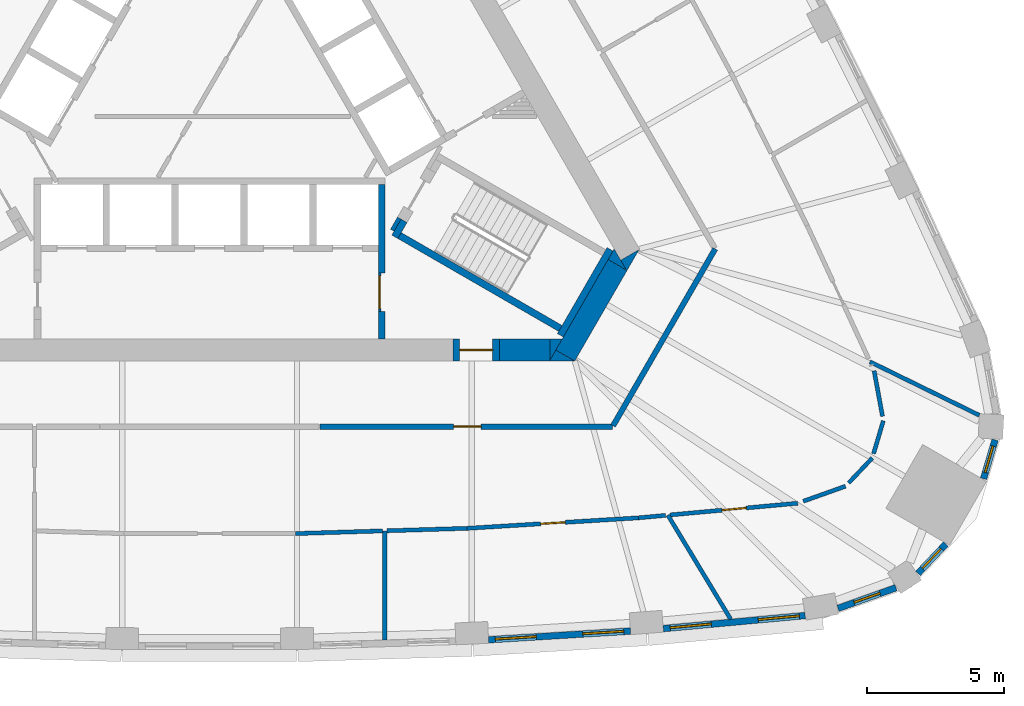
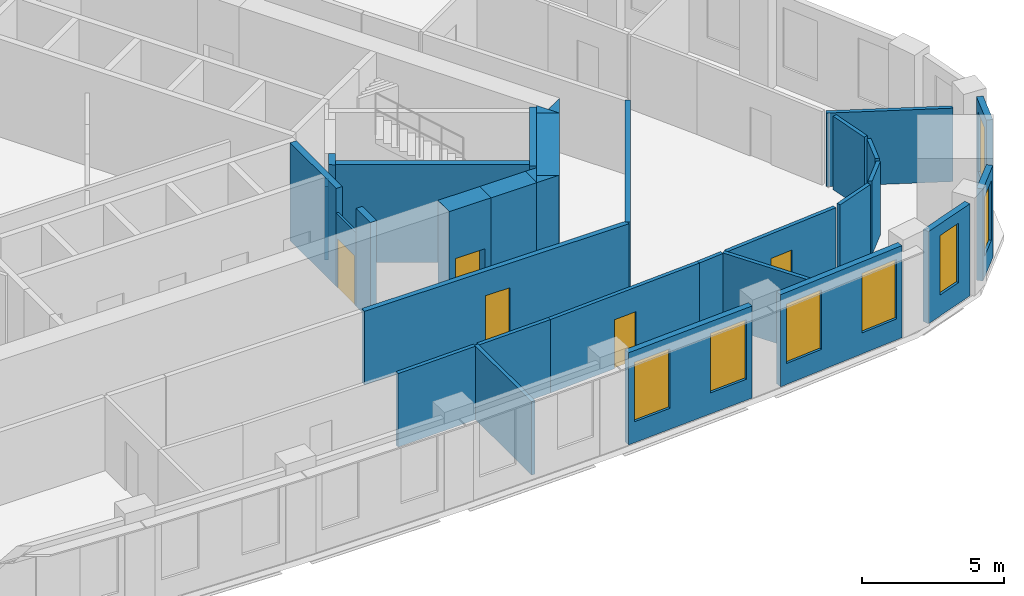
# One storey, part 6 of 11: 33 walls, 7 windows, 5 doors, 12 openings.
"""IFC4 building model written with IfcOpenShell, lengths in metres."""

from ifc_helpers import new_model, si_unit, direction, frame, frame_2d, origin, place, context, subcontext, project, spatial, polyline, rectangle, outline, extrude, material, layer, layer_set, type_object, element, fill, save


model = new_model("IFC4")

# Units and contexts
model_context = context("Model", 3, precision=1e-05, world=origin(), true_north=direction((0.0, 1.0)))
body_context = subcontext(model_context, "Body", "Model", "MODEL_VIEW")
ifc_project = project(units=[si_unit("LENGTHUNIT", "METRE"), si_unit("AREAUNIT", "SQUARE_METRE"), si_unit("VOLUMEUNIT", "CUBIC_METRE"), si_unit("PLANEANGLEUNIT", "RADIAN"), si_unit("MASSUNIT", "GRAM", prefix="KILO")], contexts=[model_context])

# Site, building, storey
site_placement = place(None, origin())
site = spatial("IfcSite", under=ifc_project, at=site_placement, CompositionType="ELEMENT")
building_placement = place(site_placement, origin())
building = spatial("IfcBuilding", under=site, at=building_placement, Name="Mestral Congress Tower", CompositionType="ELEMENT")
storey_placement = place(building_placement, frame((0.0, 0.0, 175.199951171875)))
storey = spatial("IfcBuildingStorey", under=building, at=storey_placement, Name="L41", CompositionType="ELEMENT", Elevation=175.199951171875)

# Wall
ifc_material_1 = material(Name="Fire-rated board partition")
ifc_layer_1 = layer(ifc_material_1, 0.14990234375)
ifc_layer_set_1 = layer_set([ifc_layer_1], Name="Fire-rated board partition")
wall_type_1 = type_object("IfcWallType", Name="Core partition 150", PredefinedType="PARTITIONING", material=ifc_layer_set_1)
wall_1_placement = place(storey_placement, frame((6.94482421875, -5.22216796875, 0.0), z_axis=(0.0, 0.0, 1.0), x_axis=(-0.499818422106, -0.866130212453, 0.0)))
element("IfcWall", 1, at=wall_1_placement, inside=storey, type_object=wall_type_1, Name="L41 core wall", PredefinedType="PARTITIONING", context=body_context, shape_type="SweptSolid", body=[
    extrude(rectangle(XDim=0.513916015625, YDim=0.14990234375, at=frame_2d((0.2568359375, 0.0))), origin(), (0.0, 0.0, 1.0), 3.150146484375),
])

# Wall, opening, door
ifc_layer_2 = layer(ifc_material_1, 0.090087890625)
ifc_layer_set_2 = layer_set([ifc_layer_2], Name="Fire-rated board partition")
wall_type_2 = type_object("IfcWallType", Name="Core partition 150 door-wall 90", PredefinedType="PARTITIONING", material=ifc_layer_set_2)
wall_2_placement = place(storey_placement, frame((6.219970703125, -7.23681640625, 0.0), z_axis=(0.0, 0.0, 1.0), x_axis=(0.0, -1.0, 0.0)))
wall_2 = element("IfcWall", 2, at=wall_2_placement, inside=storey, type_object=wall_type_2, Name="L41 door wall", PredefinedType="PARTITIONING", context=body_context, shape_type="SweptSolid", body=[
    extrude(rectangle(XDim=1.400146484375, YDim=0.090087890625, at=frame_2d((0.7001953125, 0.0))), origin(), (0.0, 0.0, 1.0), 3.150146484375),
])
opening_1_placement = place(wall_2_placement, frame((0.10009765625, 0.0, 0.0)))
opening_1 = element("IfcOpeningElement", 3, at=opening_1_placement, cuts=wall_2, Name="Opening LB0-WL1", PredefinedType="OPENING", context=body_context, shape_type="SweptSolid", body=[
    extrude(rectangle(XDim=1.199951171875, YDim=2.10009765625, at=frame_2d((0.60009765625, 1.050048828125))), frame((0.0, 0.054931640625, 0.0), z_axis=(0.0, -1.0, 0.0), x_axis=(1.0, 0.0, 0.0)), (0.0, 0.0, 1.0), 0.110107421875),
])
ifc_material_2 = material(Name="Fire-rated steel door set", Category="steel")
door_type_1 = type_object("IfcDoorType", Name="Core door LB 1200x2100", OperationType="SINGLE_SWING_LEFT", PredefinedType="DOOR", material=ifc_material_2)
door_1_placement = place(opening_1_placement, origin())
door_1 = element("IfcDoor", 4, at=door_1_placement, inside=storey, type_object=door_type_1, Name="Door LB0-WL1", OperationType="SINGLE_SWING_LEFT", OverallHeight=2.10009765625, OverallWidth=1.199951171875, PredefinedType="DOOR", context=body_context, shape_type="SweptSolid", body=[
    extrude(rectangle(XDim=1.199951171875, YDim=2.10009765625, at=frame_2d((0.60009765625, 1.050048828125))), frame((0.0, 0.02490234375, 0.0), z_axis=(0.0, -1.0, 0.0), x_axis=(1.0, 0.0, 0.0)), (0.0, 0.0, 1.0), 0.050048828125),
])
fill(opening_1, door_1)

# Walls
ifc_material_3 = material(Name="Concrete C60/75", Category="concrete")
ifc_layer_3 = layer(ifc_material_3, 0.800048828125)
ifc_layer_set_3 = layer_set([ifc_layer_3], Name="Concrete C60/75")
wall_type_3 = type_object("IfcWallType", Name="Core wall RC 800", PredefinedType="SOLIDWALL", material=ifc_layer_set_3)
placement = place(storey_placement, origin())
element("IfcWall", 5, at=placement, inside=storey, type_object=wall_type_3, Name="L41 core wall", PredefinedType="SOLIDWALL", context=body_context, shape_type="SweptSolid", body=[
    extrude(outline(polyline([(15.27099609375, -7.14990234375), (15.046875, -6.761962890625), (15.718994140625, -6.3740234375), (15.27099609375, -7.14990234375)])), origin(), (0.0, 0.0, 1.0), 4.199951171875),
])
wall_4_placement = place(storey_placement, frame((13.018310546875, -10.251708984375, 0.0), z_axis=(0.0, 0.0, 1.0), x_axis=(0.499984020225, 0.866034629516, 0.0)))
element("IfcWall", 6, at=wall_4_placement, inside=storey, type_object=wall_type_3, Name="L41 core wall", PredefinedType="SOLIDWALL", context=body_context, shape_type="SweptSolid", body=[
    extrude(rectangle(XDim=3.824462890625, YDim=0.800048828125, at=frame_2d((1.912109375, 0.0))), origin(), (0.0, 0.0, 1.0), 4.199951171875),
])
element("IfcWall", 7, at=placement, inside=storey, type_object=wall_type_3, Name="L41 core wall", PredefinedType="SOLIDWALL", context=body_context, shape_type="SweptSolid", body=[
    extrude(outline(polyline([(12.44189453125, -10.449951171875), (12.6708984375, -10.053466796875), (13.35791015625, -10.449951171875), (12.44189453125, -10.449951171875)])), origin(), (0.0, 0.0, 1.0), 4.199951171875),
])
element("IfcWall", 8, at=placement, inside=storey, type_object=wall_type_3, Name="L41 core wall", PredefinedType="SOLIDWALL", context=body_context, shape_type="SweptSolid", body=[
    extrude(outline(polyline([(14.80908203125, -6.35009765625), (15.257080078125, -7.1259765625), (14.5849609375, -6.738037109375), (14.80908203125, -6.35009765625)])), origin(), (0.0, 0.0, 1.0), 4.199951171875),
])
wall_7_placement = place(storey_placement, frame((10.6044921875, -10.050048828125, 0.0), z_axis=(0.0, 0.0, 1.0), x_axis=(1.0, 0.0, 0.0)))
element("IfcWall", 9, at=wall_7_placement, inside=storey, type_object=wall_type_3, Name="L41 core wall", PredefinedType="SOLIDWALL", context=body_context, shape_type="SweptSolid", body=[
    extrude(rectangle(XDim=1.849365234375, YDim=0.800048828125, at=frame_2d((0.9248046875, 0.0))), origin(), (0.0, 0.0, 1.0), 4.199951171875),
])
element("IfcWall", 10, at=placement, inside=storey, type_object=wall_type_3, Name="L41 core wall", PredefinedType="SOLIDWALL", context=body_context, shape_type="SweptSolid", body=[
    extrude(outline(polyline([(12.90380859375, -9.64990234375), (12.455810546875, -10.42578125), (12.455810546875, -9.64990234375), (12.90380859375, -9.64990234375)])), origin(), (0.0, 0.0, 1.0), 4.199951171875),
])

# Wall, opening, door
wall_9_placement = place(storey_placement, frame((10.6044921875, -10.050048828125, 0.0), z_axis=(0.0, 0.0, 1.0), x_axis=(-1.0, 0.0, 0.0)))
wall_9 = element("IfcWall", 11, at=wall_9_placement, inside=storey, type_object=wall_type_3, Name="L41 door wall", PredefinedType="SOLIDWALL", context=body_context, shape_type="SweptSolid", body=[
    extrude(rectangle(XDim=1.699951171875, YDim=0.800048828125, at=frame_2d((0.85009765625, 0.0))), origin(), (0.0, 0.0, 1.0), 4.199951171875),
])
opening_2_placement = place(wall_9_placement, frame((0.25, 0.0, 0.0)))
opening_2 = element("IfcOpeningElement", 12, at=opening_2_placement, cuts=wall_9, Name="Opening XD1", PredefinedType="OPENING", context=body_context, shape_type="SweptSolid", body=[
    extrude(rectangle(XDim=1.199951171875, YDim=2.10009765625, at=frame_2d((0.60009765625, 1.050048828125))), frame((0.0, 0.409912109375, 0.0), z_axis=(0.0, -1.0, 0.0), x_axis=(1.0, 0.0, 0.0)), (0.0, 0.0, 1.0), 0.820068359375),
])
door_type_2 = type_object("IfcDoorType", Name="Core door XD 1200x2100", OperationType="SINGLE_SWING_LEFT", PredefinedType="DOOR", material=ifc_material_2)
door_2_placement = place(opening_2_placement, origin())
door_2 = element("IfcDoor", 13, at=door_2_placement, inside=storey, type_object=door_type_2, Name="Door XD1", OperationType="SINGLE_SWING_LEFT", OverallHeight=2.10009765625, OverallWidth=1.199951171875, PredefinedType="DOOR", context=body_context, shape_type="SweptSolid", body=[
    extrude(rectangle(XDim=1.199951171875, YDim=2.10009765625, at=frame_2d((0.60009765625, 1.050048828125))), frame((0.0, 0.02490234375, 0.0), z_axis=(0.0, -1.0, 0.0), x_axis=(1.0, 0.0, 0.0)), (0.0, 0.0, 1.0), 0.050048828125),
])
fill(opening_2, door_2)

# Wall, openings, windows
ifc_material_4 = material(Name="Precast concrete C40/50 with limestone facing", Category="masonry")
ifc_layer_4 = layer(ifc_material_4, 0.239990234375)
ifc_layer_set_4 = layer_set([ifc_layer_4], Name="Precast concrete C40/50 with limestone facing")
wall_type_4 = type_object("IfcWallType", Name="Facade stone wall 240", PredefinedType="SOLIDWALL", material=ifc_layer_set_4)
wall_10_placement = place(storey_placement, frame((10.210693359375, -20.656005859375, 0.0), z_axis=(0.0, 0.0, 1.0), x_axis=(0.998135294646, 0.061040425794, 0.0)))
wall_10 = element("IfcWall", 14, at=wall_10_placement, inside=storey, type_object=wall_type_4, Name="Facade wall F0-05", PredefinedType="SOLIDWALL", context=body_context, shape_type="SweptSolid", body=[
    extrude(rectangle(XDim=5.20361328125, YDim=0.239990234375, at=frame_2d((2.601806640625, 0.0))), origin(), (0.0, 0.0, 1.0), 3.949951171875),
])
opening_3_placement = place(wall_10_placement, frame((0.248291015625, 0.0, 0.89990234375)))
opening_3 = element("IfcOpeningElement", 15, at=opening_3_placement, cuts=wall_10, Name="Opening W4", PredefinedType="OPENING", context=body_context, shape_type="SweptSolid", body=[
    extrude(rectangle(XDim=1.5, YDim=2.550048828125, at=frame_2d((0.75, 1.27490234375))), frame((0.0, 0.1298828125, 0.0), z_axis=(0.0, -1.0, 0.0), x_axis=(1.0, 0.0, 0.0)), (0.0, 0.0, 1.0), 0.260009765625),
])
opening_4_placement = place(wall_10_placement, frame((3.455078125, 0.0, 0.89990234375)))
opening_4 = element("IfcOpeningElement", 16, at=opening_4_placement, cuts=wall_10, Name="Opening W4", PredefinedType="OPENING", context=body_context, shape_type="SweptSolid", body=[
    extrude(rectangle(XDim=1.5, YDim=2.550048828125, at=frame_2d((0.75, 1.27490234375))), frame((0.0, 0.1298828125, 0.0), z_axis=(0.0, -1.0, 0.0), x_axis=(1.0, 0.0, 0.0)), (0.0, 0.0, 1.0), 0.260009765625),
])
ifc_material_5 = material(Name="Clear low-emissivity double glazing", Category="glass")
window_type_1 = type_object("IfcWindowType", Name="Facade punched window 1500 x 2550 sill 900", PartitioningType="SINGLE_PANEL", PredefinedType="WINDOW", material=ifc_material_5)
window_1_placement = place(opening_3_placement, origin())
window_1 = element("IfcWindow", 17, at=window_1_placement, inside=storey, type_object=window_type_1, Name="Window F0-05a", OverallHeight=2.550048828125, OverallWidth=1.5, PartitioningType="SINGLE_PANEL", PredefinedType="WINDOW", context=body_context, shape_type="SweptSolid", body=[
    extrude(rectangle(XDim=1.5, YDim=2.550048828125, at=frame_2d((0.75, 1.27490234375))), frame((0.0, 0.0400390625, 0.0), z_axis=(0.0, -1.0, 0.0), x_axis=(1.0, 0.0, 0.0)), (0.0, 0.0, 1.0), 0.06005859375),
])
fill(opening_3, window_1)
window_2_placement = place(opening_4_placement, origin())
window_2 = element("IfcWindow", 18, at=window_2_placement, inside=storey, type_object=window_type_1, Name="Window F0-05b", OverallHeight=2.550048828125, OverallWidth=1.5, PartitioningType="SINGLE_PANEL", PredefinedType="WINDOW", context=body_context, shape_type="SweptSolid", body=[
    extrude(rectangle(XDim=1.5, YDim=2.550048828125, at=frame_2d((0.75, 1.27490234375))), frame((0.0, 0.0400390625, 0.0), z_axis=(0.0, -1.0, 0.0), x_axis=(1.0, 0.0, 0.0)), (0.0, 0.0, 1.0), 0.06005859375),
])
fill(opening_4, window_2)

wall_11_placement = place(storey_placement, frame((16.605712890625, -20.24658203125, 0.0), z_axis=(0.0, 0.0, 1.0), x_axis=(0.995808712151, 0.091460422067, 0.0)))
wall_11 = element("IfcWall", 19, at=wall_11_placement, inside=storey, type_object=wall_type_4, Name="Facade wall F0-06", PredefinedType="SOLIDWALL", context=body_context, shape_type="SweptSolid", body=[
    extrude(rectangle(XDim=5.213134765625, YDim=0.239990234375, at=frame_2d((2.6064453125, 0.0))), origin(), (0.0, 0.0, 1.0), 3.949951171875),
])
opening_5_placement = place(wall_11_placement, frame((0.2607421875, 0.0, 0.89990234375)))
opening_5 = element("IfcOpeningElement", 20, at=opening_5_placement, cuts=wall_11, Name="Opening W4", PredefinedType="OPENING", context=body_context, shape_type="SweptSolid", body=[
    extrude(rectangle(XDim=1.5, YDim=2.550048828125, at=frame_2d((0.75, 1.27490234375))), frame((0.0, 0.1298828125, 0.0), z_axis=(0.0, -1.0, 0.0), x_axis=(1.0, 0.0, 0.0)), (0.0, 0.0, 1.0), 0.260009765625),
])
opening_6_placement = place(wall_11_placement, frame((3.492431640625, 0.0, 0.89990234375)))
opening_6 = element("IfcOpeningElement", 21, at=opening_6_placement, cuts=wall_11, Name="Opening W4", PredefinedType="OPENING", context=body_context, shape_type="SweptSolid", body=[
    extrude(rectangle(XDim=1.5, YDim=2.550048828125, at=frame_2d((0.75, 1.27490234375))), frame((0.0, 0.1298828125, 0.0), z_axis=(0.0, -1.0, 0.0), x_axis=(1.0, 0.0, 0.0)), (0.0, 0.0, 1.0), 0.260009765625),
])
window_3_placement = place(opening_5_placement, origin())
window_3 = element("IfcWindow", 22, at=window_3_placement, inside=storey, type_object=window_type_1, Name="Window F0-06a", OverallHeight=2.550048828125, OverallWidth=1.5, PartitioningType="SINGLE_PANEL", PredefinedType="WINDOW", context=body_context, shape_type="SweptSolid", body=[
    extrude(rectangle(XDim=1.5, YDim=2.550048828125, at=frame_2d((0.75, 1.27490234375))), frame((0.0, 0.0400390625, 0.0), z_axis=(0.0, -1.0, 0.0), x_axis=(1.0, 0.0, 0.0)), (0.0, 0.0, 1.0), 0.06005859375),
])
fill(opening_5, window_3)
window_4_placement = place(opening_6_placement, origin())
window_4 = element("IfcWindow", 23, at=window_4_placement, inside=storey, type_object=window_type_1, Name="Window F0-06b", OverallHeight=2.550048828125, OverallWidth=1.5, PartitioningType="SINGLE_PANEL", PredefinedType="WINDOW", context=body_context, shape_type="SweptSolid", body=[
    extrude(rectangle(XDim=1.5, YDim=2.550048828125, at=frame_2d((0.75, 1.27490234375))), frame((0.0, 0.0400390625, 0.0), z_axis=(0.0, -1.0, 0.0), x_axis=(1.0, 0.0, 0.0)), (0.0, 0.0, 1.0), 0.06005859375),
])
fill(opening_6, window_4)

# Wall, opening, window
wall_12_placement = place(storey_placement, frame((23.0009765625, -19.50537109375, 0.0), z_axis=(0.0, 0.0, 1.0), x_axis=(0.942099727267, 0.335332825539, 0.0)))
wall_12 = element("IfcWall", 24, at=wall_12_placement, inside=storey, type_object=wall_type_4, Name="Facade wall K0-0", PredefinedType="SOLIDWALL", context=body_context, shape_type="SweptSolid", body=[
    extrude(rectangle(XDim=2.25048828125, YDim=0.239990234375, at=frame_2d((1.125244140625, 0.0))), origin(), (0.0, 0.0, 1.0), 3.949951171875),
])
opening_7_placement = place(wall_12_placement, frame((0.625244140625, 0.0, 0.89990234375)))
opening_7 = element("IfcOpeningElement", 25, at=opening_7_placement, cuts=wall_12, Name="Opening W5", PredefinedType="OPENING", context=body_context, shape_type="SweptSolid", body=[
    extrude(rectangle(XDim=1.0, YDim=2.550048828125, at=frame_2d((0.5, 1.27490234375))), frame((0.0, 0.1298828125, 0.0), z_axis=(0.0, -1.0, 0.0), x_axis=(1.0, 0.0, 0.0)), (0.0, 0.0, 1.0), 0.260009765625),
])
window_type_2 = type_object("IfcWindowType", Name="Facade punched window 1000 x 2550 sill 900", PartitioningType="SINGLE_PANEL", PredefinedType="WINDOW", material=ifc_material_5)
window_5_placement = place(opening_7_placement, origin())
window_5 = element("IfcWindow", 26, at=window_5_placement, inside=storey, type_object=window_type_2, Name="Window K0-0", OverallHeight=2.550048828125, OverallWidth=1.0, PartitioningType="SINGLE_PANEL", PredefinedType="WINDOW", context=body_context, shape_type="SweptSolid", body=[
    extrude(rectangle(XDim=1.0, YDim=2.550048828125, at=frame_2d((0.5, 1.27490234375))), frame((0.0, 0.0400390625, 0.0), z_axis=(0.0, -1.0, 0.0), x_axis=(1.0, 0.0, 0.0)), (0.0, 0.0, 1.0), 0.06005859375),
])
fill(opening_7, window_5)

wall_13_placement = place(storey_placement, frame((25.9267578125, -18.226318359375, 0.0), z_axis=(0.0, 0.0, 1.0), x_axis=(0.687986858937, 0.725723144133, 0.0)))
wall_13 = element("IfcWall", 27, at=wall_13_placement, inside=storey, type_object=wall_type_4, Name="Facade wall K0-1", PredefinedType="SOLIDWALL", context=body_context, shape_type="SweptSolid", body=[
    extrude(rectangle(XDim=1.4814453125, YDim=0.239990234375, at=frame_2d((0.74072265625, 0.0))), origin(), (0.0, 0.0, 1.0), 3.949951171875),
])
opening_8_placement = place(wall_13_placement, frame((0.24072265625, 0.0, 0.89990234375)))
opening_8 = element("IfcOpeningElement", 28, at=opening_8_placement, cuts=wall_13, Name="Opening W5", PredefinedType="OPENING", context=body_context, shape_type="SweptSolid", body=[
    extrude(rectangle(XDim=1.0, YDim=2.550048828125, at=frame_2d((0.5, 1.27490234375))), frame((0.0, 0.1298828125, 0.0), z_axis=(0.0, -1.0, 0.0), x_axis=(1.0, 0.0, 0.0)), (0.0, 0.0, 1.0), 0.260009765625),
])
window_6_placement = place(opening_8_placement, origin())
window_6 = element("IfcWindow", 29, at=window_6_placement, inside=storey, type_object=window_type_2, Name="Window K0-1", OverallHeight=2.550048828125, OverallWidth=1.0, PartitioningType="SINGLE_PANEL", PredefinedType="WINDOW", context=body_context, shape_type="SweptSolid", body=[
    extrude(rectangle(XDim=1.0, YDim=2.550048828125, at=frame_2d((0.5, 1.27490234375))), frame((0.0, 0.0400390625, 0.0), z_axis=(0.0, -1.0, 0.0), x_axis=(1.0, 0.0, 0.0)), (0.0, 0.0, 1.0), 0.06005859375),
])
fill(opening_8, window_6)

wall_14_placement = place(storey_placement, frame((28.326416015625, -14.760498046875, 0.0), z_axis=(0.0, 0.0, 1.0), x_axis=(0.284413721403, 0.958701640281, 0.0)))
wall_14 = element("IfcWall", 30, at=wall_14_placement, inside=storey, type_object=wall_type_4, Name="Facade wall K0-2", PredefinedType="SOLIDWALL", context=body_context, shape_type="SweptSolid", body=[
    extrude(rectangle(XDim=1.481689453125, YDim=0.239990234375, at=frame_2d((0.74072265625, 0.0))), origin(), (0.0, 0.0, 1.0), 3.949951171875),
])
opening_9_placement = place(wall_14_placement, frame((0.24072265625, 0.0, 0.89990234375)))
opening_9 = element("IfcOpeningElement", 31, at=opening_9_placement, cuts=wall_14, Name="Opening W5", PredefinedType="OPENING", context=body_context, shape_type="SweptSolid", body=[
    extrude(rectangle(XDim=1.0, YDim=2.550048828125, at=frame_2d((0.5, 1.27490234375))), frame((0.0, 0.1298828125, 0.0), z_axis=(0.0, -1.0, 0.0), x_axis=(1.0, 0.0, 0.0)), (0.0, 0.0, 1.0), 0.260009765625),
])
window_7_placement = place(opening_9_placement, origin())
window_7 = element("IfcWindow", 32, at=window_7_placement, inside=storey, type_object=window_type_2, Name="Window K0-2", OverallHeight=2.550048828125, OverallWidth=1.0, PartitioningType="SINGLE_PANEL", PredefinedType="WINDOW", context=body_context, shape_type="SweptSolid", body=[
    extrude(rectangle(XDim=1.0, YDim=2.550048828125, at=frame_2d((0.5, 1.27490234375))), frame((0.0, 0.0400390625, 0.0), z_axis=(0.0, -1.0, 0.0), x_axis=(1.0, 0.0, 0.0)), (0.0, 0.0, 1.0), 0.06005859375),
])
fill(opening_9, window_7)

# Walls
ifc_material_6 = material(Name="Plasterboard partition on steel studs", Category="steel")
ifc_layer_5 = layer(ifc_material_6, 0.14990234375)
ifc_layer_set_5 = layer_set([ifc_layer_5], Name="Plasterboard partition on steel studs")
wall_type_5 = type_object("IfcWallType", Name="Office partition 150", PredefinedType="PARTITIONING", material=ifc_layer_set_5)
wall_15_placement = place(storey_placement, frame((6.412109375, -16.668212890625, 0.0), z_axis=(0.0, 0.0, 1.0), x_axis=(0.0, -1.0, 0.0)))
element("IfcWall", 33, at=wall_15_placement, inside=storey, type_object=wall_type_5, Name="Partition", PredefinedType="PARTITIONING", context=body_context, shape_type="SweptSolid", body=[
    extrude(rectangle(XDim=4.001953125, YDim=0.14990234375, at=frame_2d((2.0009765625, 0.0))), origin(), (0.0, 0.0, 1.0), 3.150146484375),
])
wall_16_placement = place(storey_placement, frame((3.141357421875, -16.768310546875, 0.0), z_axis=(0.0, 0.0, 1.0), x_axis=(0.999533369646, 0.030545751995, 0.0)))
element("IfcWall", 34, at=wall_16_placement, inside=storey, type_object=wall_type_5, Name="Partition", PredefinedType="PARTITIONING", context=body_context, shape_type="SweptSolid", body=[
    extrude(rectangle(XDim=3.197021484375, YDim=0.14990234375, at=frame_2d((1.5986328125, 0.0))), origin(), (0.0, 0.0, 1.0), 3.150146484375),
])
wall_17_placement = place(storey_placement, frame((16.772705078125, -16.093994140625, 0.0), z_axis=(0.0, 0.0, 1.0), x_axis=(0.516844039178, -0.856079575253, 0.0)))
element("IfcWall", 35, at=wall_17_placement, inside=storey, type_object=wall_type_5, Name="Partition", PredefinedType="PARTITIONING", context=body_context, shape_type="SweptSolid", body=[
    extrude(rectangle(XDim=4.445556640625, YDim=0.14990234375, at=frame_2d((2.22265625, 0.0))), origin(), (0.0, 0.0, 1.0), 3.150146484375),
])
wall_18_placement = place(storey_placement, frame((6.487060546875, -16.666015625, 0.0), z_axis=(0.0, 0.0, 1.0), x_axis=(0.999533978083, 0.030525835896, 0.0)))
element("IfcWall", 36, at=wall_18_placement, inside=storey, type_object=wall_type_5, Name="Partition", PredefinedType="PARTITIONING", context=body_context, shape_type="SweptSolid", body=[
    extrude(rectangle(XDim=2.935302734375, YDim=0.14990234375, at=frame_2d((1.4677734375, 0.0))), origin(), (0.0, 0.0, 1.0), 3.150146484375),
])

# Wall, opening, door
wall_19_placement = place(storey_placement, frame((15.691650390625, -16.193115234375, 0.0), z_axis=(0.0, 0.0, 1.0), x_axis=(-0.998137075468, -0.061011298754, 0.0)))
wall_19 = element("IfcWall", 37, at=wall_19_placement, inside=storey, type_object=wall_type_5, Name="Partition", PredefinedType="PARTITIONING", context=body_context, shape_type="SweptSolid", body=[
    extrude(rectangle(XDim=6.282470703125, YDim=0.14990234375, at=frame_2d((3.14111328125, 0.0))), origin(), (0.0, 0.0, 1.0), 3.150146484375),
])
opening_10_placement = place(wall_19_placement, frame((2.6826171875, 0.0, 0.0)))
opening_10 = element("IfcOpeningElement", 38, at=opening_10_placement, cuts=wall_19, Name="Opening O03-003", PredefinedType="OPENING", context=body_context, shape_type="SweptSolid", body=[
    extrude(rectangle(XDim=0.89990234375, YDim=2.10009765625, at=frame_2d((0.449951171875, 1.050048828125))), frame((0.0, 0.0849609375, 0.0), z_axis=(0.0, -1.0, 0.0), x_axis=(1.0, 0.0, 0.0)), (0.0, 0.0, 1.0), 0.169921875),
])
ifc_material_7 = material(Name="Timber door set", Category="wood")
door_type_3 = type_object("IfcDoorType", Name="Office door 900x2100", OperationType="SINGLE_SWING_LEFT", PredefinedType="DOOR", material=ifc_material_7)
door_3_placement = place(opening_10_placement, origin())
door_3 = element("IfcDoor", 39, at=door_3_placement, inside=storey, type_object=door_type_3, Name="Door O03-003", OperationType="SINGLE_SWING_LEFT", OverallHeight=2.10009765625, OverallWidth=0.89990234375, PredefinedType="DOOR", context=body_context, shape_type="SweptSolid", body=[
    extrude(rectangle(XDim=0.89990234375, YDim=2.10009765625, at=frame_2d((0.449951171875, 1.050048828125))), frame((0.0, 0.02490234375, 0.0), z_axis=(0.0, -1.0, 0.0), x_axis=(1.0, 0.0, 0.0)), (0.0, 0.0, 1.0), 0.050048828125),
])
fill(opening_10, door_3)

# Walls
wall_20_placement = place(storey_placement, frame((15.691650390625, -16.193115234375, 0.0), z_axis=(0.0, 0.0, 1.0), x_axis=(0.995818997537, 0.091348366946, 0.0)))
element("IfcWall", 40, at=wall_20_placement, inside=storey, type_object=wall_type_5, Name="Partition", PredefinedType="PARTITIONING", context=body_context, shape_type="SweptSolid", body=[
    extrude(rectangle(XDim=1.002197265625, YDim=0.14990234375, at=frame_2d((0.5009765625, 0.0))), origin(), (0.0, 0.0, 1.0), 3.150146484375),
])
wall_21_placement = place(storey_placement, frame((24.1689453125, -10.479736328125, 0.0), z_axis=(0.0, 0.0, 1.0), x_axis=(0.898142173557, -0.439705169491, 0.0)))
element("IfcWall", 41, at=wall_21_placement, inside=storey, type_object=wall_type_5, Name="Partition", PredefinedType="PARTITIONING", context=body_context, shape_type="SweptSolid", body=[
    extrude(rectangle(XDim=4.45751953125, YDim=0.14990234375, at=frame_2d((2.228759765625, 0.0))), origin(), (0.0, 0.0, 1.0), 3.150146484375),
])

# Wall, opening, door
wall_22_placement = place(storey_placement, frame((21.525146484375, -15.657470703125, 0.0), z_axis=(0.0, 0.0, 1.0), x_axis=(-0.99581172086, -0.091427657734, 0.0)))
wall_22 = element("IfcWall", 42, at=wall_22_placement, inside=storey, type_object=wall_type_5, Name="Partition", PredefinedType="PARTITIONING", context=body_context, shape_type="SweptSolid", body=[
    extrude(rectangle(XDim=4.68896484375, YDim=0.14990234375, at=frame_2d((2.344482421875, 0.0))), origin(), (0.0, 0.0, 1.0), 3.150146484375),
])
opening_11_placement = place(wall_22_placement, frame((1.888916015625, 0.0, 0.0)))
opening_11 = element("IfcOpeningElement", 43, at=opening_11_placement, cuts=wall_22, Name="Opening O03-004", PredefinedType="OPENING", context=body_context, shape_type="SweptSolid", body=[
    extrude(rectangle(XDim=0.89990234375, YDim=2.10009765625, at=frame_2d((0.449951171875, 1.050048828125))), frame((0.0, 0.0849609375, 0.0), z_axis=(0.0, -1.0, 0.0), x_axis=(1.0, 0.0, 0.0)), (0.0, 0.0, 1.0), 0.169921875),
])
door_4_placement = place(opening_11_placement, origin())
door_4 = element("IfcDoor", 44, at=door_4_placement, inside=storey, type_object=door_type_3, Name="Door O03-004", OperationType="SINGLE_SWING_LEFT", OverallHeight=2.10009765625, OverallWidth=0.89990234375, PredefinedType="DOOR", context=body_context, shape_type="SweptSolid", body=[
    extrude(rectangle(XDim=0.89990234375, YDim=2.10009765625, at=frame_2d((0.449951171875, 1.050048828125))), frame((0.0, 0.02490234375, 0.0), z_axis=(0.0, -1.0, 0.0), x_axis=(1.0, 0.0, 0.0)), (0.0, 0.0, 1.0), 0.050048828125),
])
fill(opening_11, door_4)

# Walls
wall_23_placement = place(storey_placement, frame((21.72705078125, -15.585693359375, 0.0), z_axis=(0.0, 0.0, 1.0), x_axis=(0.942087520852, 0.335367116835, 0.0)))
element("IfcWall", 45, at=wall_23_placement, inside=storey, type_object=wall_type_5, Name="Partition", PredefinedType="PARTITIONING", context=body_context, shape_type="SweptSolid", body=[
    extrude(rectangle(XDim=1.643798828125, YDim=0.14990234375, at=frame_2d((0.82177734375, 0.0))), origin(), (0.0, 0.0, 1.0), 3.150146484375),
])
wall_24_placement = place(storey_placement, frame((23.389404296875, -14.914306640625, 0.0), z_axis=(0.0, 0.0, 1.0), x_axis=(0.688003360899, 0.725707499886, 0.0)))
element("IfcWall", 46, at=wall_24_placement, inside=storey, type_object=wall_type_5, Name="Partition", PredefinedType="PARTITIONING", context=body_context, shape_type="SweptSolid", body=[
    extrude(rectangle(XDim=1.256103515625, YDim=0.14990234375, at=frame_2d((0.6279296875, 0.0))), origin(), (0.0, 0.0, 1.0), 3.150146484375),
])
wall_25_placement = place(storey_placement, frame((24.30078125, -13.843994140625, 0.0), z_axis=(0.0, 0.0, 1.0), x_axis=(0.284386145133, 0.958709820778, 0.0)))
element("IfcWall", 47, at=wall_25_placement, inside=storey, type_object=wall_type_5, Name="Partition", PredefinedType="PARTITIONING", context=body_context, shape_type="SweptSolid", body=[
    extrude(rectangle(XDim=1.255859375, YDim=0.14990234375, at=frame_2d((0.6279296875, 0.0))), origin(), (0.0, 0.0, 1.0), 3.150146484375),
])
wall_26_placement = place(storey_placement, frame((24.628173828125, -12.477294921875, 0.0), z_axis=(0.0, 0.0, 1.0), x_axis=(-0.180725554657, 0.98353356521, 0.0)))
element("IfcWall", 48, at=wall_26_placement, inside=storey, type_object=wall_type_5, Name="Partition", PredefinedType="PARTITIONING", context=body_context, shape_type="SweptSolid", body=[
    extrude(rectangle(XDim=1.692626953125, YDim=0.14990234375, at=frame_2d((0.84619140625, 0.0))), origin(), (0.0, 0.0, 1.0), 3.150146484375),
])

# Wall, opening, door
ifc_material_8 = material(Name="Dense masonry wall, plastered", Category="masonry")
ifc_layer_6 = layer(ifc_material_8, 0.199951171875)
ifc_layer_set_6 = layer_set([ifc_layer_6], Name="Dense masonry wall, plastered")
wall_type_6 = type_object("IfcWallType", Name="Office tenancy wall 200", PredefinedType="PARTITIONING", material=ifc_layer_set_6)
wall_27_placement = place(storey_placement, frame((4.033935546875, -12.85009765625, 0.0), z_axis=(0.0, 0.0, 1.0), x_axis=(1.0, 0.0, 0.0)))
wall_27 = element("IfcWall", 49, at=wall_27_placement, inside=storey, type_object=wall_type_6, Name="Tenancy wall", PredefinedType="PARTITIONING", context=body_context, shape_type="SweptSolid", body=[
    extrude(rectangle(XDim=10.71728515625, YDim=0.199951171875, at=frame_2d((5.358642578125, 0.0))), origin(), (0.0, 0.0, 1.0), 3.150146484375),
])
opening_12_placement = place(wall_27_placement, frame((4.89990234375, 0.0, 0.0)))
opening_12 = element("IfcOpeningElement", 50, at=opening_12_placement, cuts=wall_27, Name="Opening O03-007", PredefinedType="OPENING", context=body_context, shape_type="SweptSolid", body=[
    extrude(rectangle(XDim=1.0, YDim=2.10009765625, at=frame_2d((0.5, 1.050048828125))), frame((0.0, 0.10986328125, 0.0), z_axis=(0.0, -1.0, 0.0), x_axis=(1.0, 0.0, 0.0)), (0.0, 0.0, 1.0), 0.219970703125),
])
ifc_material_9 = material(Name="Fire-rated timber door set", Category="wood")
door_type_4 = type_object("IfcDoorType", Name="Office tenancy entrance door 1000x2100", OperationType="SINGLE_SWING_LEFT", PredefinedType="DOOR", material=ifc_material_9)
door_5_placement = place(opening_12_placement, origin())
door_5 = element("IfcDoor", 51, at=door_5_placement, inside=storey, type_object=door_type_4, Name="Door O03-007", OperationType="SINGLE_SWING_RIGHT", OverallHeight=2.10009765625, OverallWidth=1.0, PredefinedType="DOOR", context=body_context, shape_type="SweptSolid", body=[
    extrude(rectangle(XDim=1.0, YDim=2.10009765625, at=frame_2d((0.5, 1.050048828125))), frame((0.0, 0.02490234375, 0.0), z_axis=(0.0, -1.0, 0.0), x_axis=(1.0, 0.0, 0.0)), (0.0, 0.0, 1.0), 0.050048828125),
])
fill(opening_12, door_5)

# Walls
wall_28_placement = place(storey_placement, frame((14.766357421875, -12.823974609375, 0.0), z_axis=(0.0, 0.0, 1.0), x_axis=(0.500009869004, 0.866019705837, 0.0)))
element("IfcWall", 52, at=wall_28_placement, inside=storey, type_object=wall_type_6, Name="Tenancy wall", PredefinedType="PARTITIONING", context=body_context, shape_type="SweptSolid", body=[
    extrude(rectangle(XDim=7.475341796875, YDim=0.199951171875, at=frame_2d((3.73779296875, 0.0))), origin(), (0.0, 0.0, 1.0), 3.150146484375),
])
ifc_layer_7 = layer(ifc_material_3, 0.25)
ifc_layer_set_7 = layer_set([ifc_layer_7], Name="Concrete C60/75")
wall_type_7 = type_object("IfcWallType", Name="Shaft wall RC 250", PredefinedType="SOLIDWALL", material=ifc_layer_set_7)
wall_29_placement = place(storey_placement, frame((6.300048828125, -7.239990234375, 0.0), z_axis=(0.0, 0.0, 1.0), x_axis=(0.0, 1.0, 0.0)))
element("IfcWall", 53, at=wall_29_placement, inside=storey, type_object=wall_type_7, Name="L41 core wall", PredefinedType="SOLIDWALL", context=body_context, shape_type="SweptSolid", body=[
    extrude(rectangle(XDim=3.239990234375, YDim=0.25, at=frame_2d((1.6201171875, 0.0))), origin(), (0.0, 0.0, 1.0), 4.199951171875),
])
wall_30_placement = place(storey_placement, frame((6.300048828125, -9.64990234375, 0.0), z_axis=(0.0, 0.0, 1.0), x_axis=(0.0, 1.0, 0.0)))
element("IfcWall", 54, at=wall_30_placement, inside=storey, type_object=wall_type_7, Name="L41 core wall", PredefinedType="SOLIDWALL", context=body_context, shape_type="SweptSolid", body=[
    extrude(rectangle(XDim=1.0078125, YDim=0.25, at=frame_2d((0.50390625, 0.0))), origin(), (0.0, 0.0, 1.0), 4.199951171875),
])
ifc_layer_8 = layer(ifc_material_3, 0.25)
ifc_layer_set_8 = layer_set([ifc_layer_8], Name="Concrete C60/75")
wall_type_8 = type_object("IfcWallType", Name="Stair wall RC 250", PredefinedType="SOLIDWALL", material=ifc_layer_set_8)
wall_31_placement = place(storey_placement, frame((12.839599609375, -9.510986328125, 0.0), z_axis=(0.0, 0.0, 1.0), x_axis=(0.499997733992, 0.866026712061, 0.0)))
element("IfcWall", 55, at=wall_31_placement, inside=storey, type_object=wall_type_8, Name="L41 core wall", PredefinedType="SOLIDWALL", context=body_context, shape_type="SweptSolid", body=[
    extrude(rectangle(XDim=3.6337890625, YDim=0.25, at=frame_2d((1.81689453125, 0.0))), origin(), (0.0, 0.0, 1.0), 4.199951171875),
])
wall_32_placement = place(storey_placement, frame((12.83984375, -9.2607421875, 0.0), z_axis=(0.0, 0.0, 1.0), x_axis=(-0.866013990052, 0.500019768644, 0.0)))
element("IfcWall", 56, at=wall_32_placement, inside=storey, type_object=wall_type_8, Name="L41 core wall", PredefinedType="SOLIDWALL", context=body_context, shape_type="SweptSolid", body=[
    extrude(rectangle(XDim=6.800048828125, YDim=0.25, at=frame_2d((3.39990234375, 0.0))), origin(), (0.0, 0.0, 1.0), 4.199951171875),
])
wall_33_placement = place(storey_placement, frame((6.780029296875, -5.906494140625, 0.0), z_axis=(0.0, 0.0, 1.0), x_axis=(0.500223362819, 0.865896406789, 0.0)))
element("IfcWall", 57, at=wall_33_placement, inside=storey, type_object=wall_type_8, Name="L41 core wall", PredefinedType="SOLIDWALL", context=body_context, shape_type="SweptSolid", body=[
    extrude(rectangle(XDim=0.675048828125, YDim=0.25, at=frame_2d((0.33740234375, 0.0))), origin(), (0.0, 0.0, 1.0), 4.199951171875),
])

save(model, "model.ifc")
